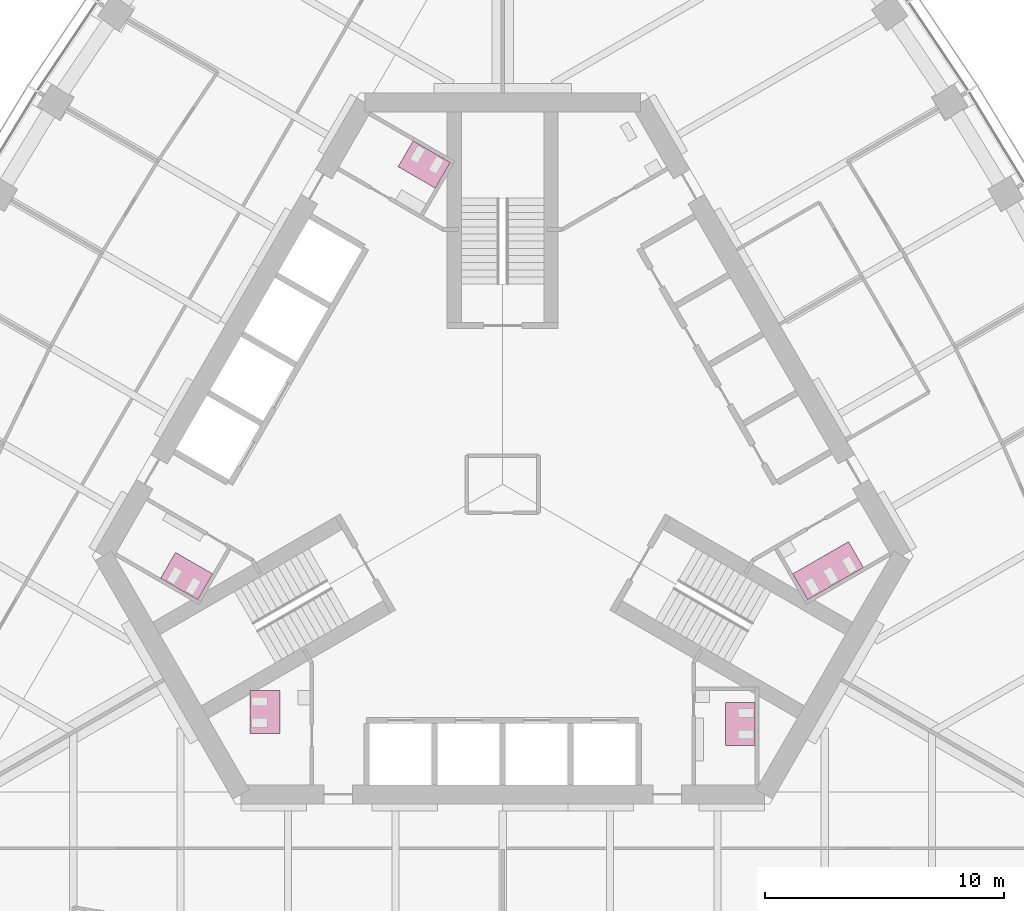
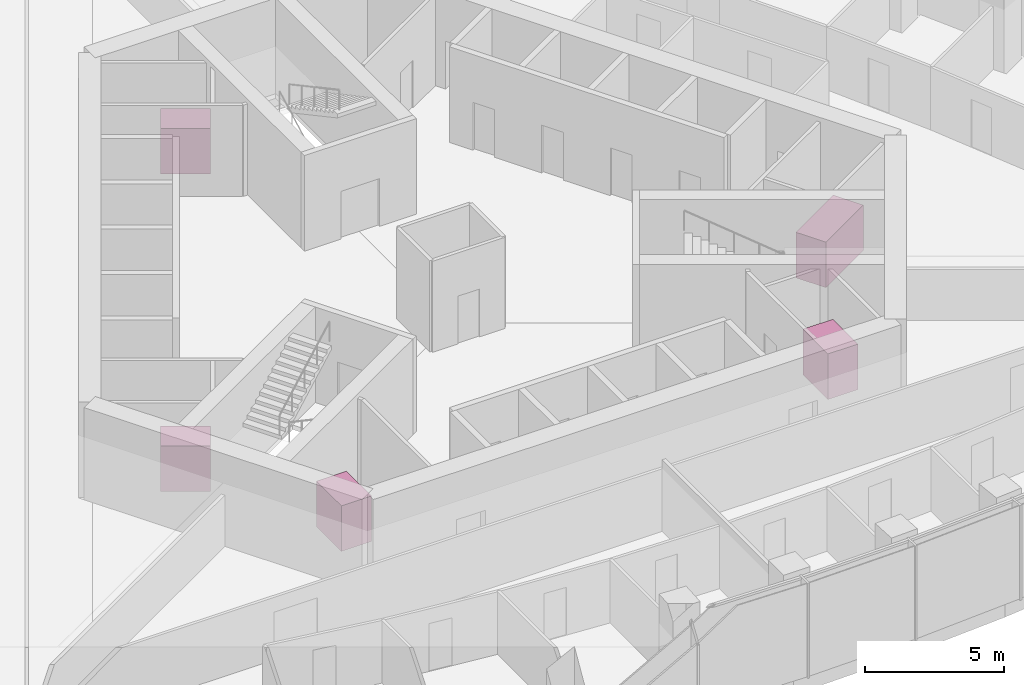
# One storey, part 20 of 20: 5 furniture elements.
"""IFC4 building model written with IfcOpenShell, lengths in metres."""

import ifcopenshell
import ifcopenshell.guid

model = None  # the IFC model being written
_history = None  # IfcOwnerHistory: only IFC2X3 demands one
_inside = {}  # id of a spatial element -> (the spatial element, [elements in it])
_under = {}  # id of a project, library or spatial element -> (it, [spatial elements below it])
_declared = {}  # id of a project -> (the project, [libraries it declares])
_typed = {}  # id of a type object -> (the type object, [elements of that type])
_made_of = {}  # id of a material, layer set ... -> (it, [elements and type objects made of it])


def new_model(schema):
    """Start an empty IFC model of exactly this schema.

    Asked for "IFC4X3", IfcOpenShell would pick the latest addendum, in which some entities
    have other attributes; the version numbers below select the first issue.
    IFC2X3 requires an IfcOwnerHistory on every rooted entity: one is made here for all.
    """
    global model, _history
    if schema == "IFC4X3":
        model = ifcopenshell.file(schema_version=(4, 3, 0, 0))
    else:
        model = ifcopenshell.file(schema=schema)
    _inside.clear()
    _under.clear()
    _declared.clear()
    _typed.clear()
    _made_of.clear()
    _history = None
    if model.schema == "IFC2X3":
        org = make("IfcOrganization", Name="unknown")
        user = make(
            "IfcPersonAndOrganization",
            ThePerson=make("IfcPerson", FamilyName="unknown"),
            TheOrganization=org,
        )
        app = make(
            "IfcApplication",
            ApplicationDeveloper=org,
            Version="unknown",
            ApplicationFullName="unknown",
            ApplicationIdentifier="unknown",
        )
        _history = make(
            "IfcOwnerHistory",
            OwningUser=user,
            OwningApplication=app,
            ChangeAction="ADDED",
            CreationDate=0,
        )
    return model


def make(cls, **values):
    """One entity of the class cls with the attributes given. An attribute that is None is left unset."""
    return model.create_entity(
        cls, **{name: value for name, value in values.items() if value is not None}
    )


def rooted(cls, **values):
    """An entity with a GlobalId (a new one), such as an element, a storey or a relation."""
    return make(cls, GlobalId=ifcopenshell.guid.new(), OwnerHistory=_history, **values)


def si_unit(unit_type, name, prefix=None):
    """IfcSIUnit, for example si_unit("LENGTHUNIT", "METRE", prefix="MILLI")."""
    return make("IfcSIUnit", UnitType=unit_type, Prefix=prefix, Name=name)


def assignment(units):
    """IfcUnitAssignment: the units of a project."""
    return None if units is None else make("IfcUnitAssignment", Units=units)


def point(xyz):
    """IfcCartesianPoint."""
    return None if xyz is None else make("IfcCartesianPoint", Coordinates=xyz)


def direction(xyz):
    """IfcDirection."""
    return None if xyz is None else make("IfcDirection", DirectionRatios=xyz)


def frame(location, z_axis=None, x_axis=None):
    """IfcAxis2Placement3D, a coordinate frame: its origin and axes. An axis left out is left unset."""
    return make(
        "IfcAxis2Placement3D",
        Location=point(location),
        Axis=direction(z_axis),
        RefDirection=direction(x_axis),
    )


def origin():
    """The frame at (0, 0, 0) with its axes left unset."""
    return frame((0.0, 0.0, 0.0))


def place(relative_to, where):
    """IfcLocalPlacement: puts the frame where relative to a parent placement (None: the world)."""
    return make(
        "IfcLocalPlacement", PlacementRelTo=relative_to, RelativePlacement=where
    )


def context(
    kind, dimensions, precision=None, world=None, true_north=None, identifier=None
):
    """IfcGeometricRepresentationContext, for example the 3D "Model" context."""
    return make(
        "IfcGeometricRepresentationContext",
        ContextIdentifier=identifier,
        ContextType=kind,
        CoordinateSpaceDimension=dimensions,
        Precision=precision,
        WorldCoordinateSystem=world,
        TrueNorth=true_north,
    )


def subcontext(parent, identifier, kind, view, scale=None):
    """IfcGeometricRepresentationSubContext, for example "Body" below "Model"."""
    return make(
        "IfcGeometricRepresentationSubContext",
        ContextIdentifier=identifier,
        ContextType=kind,
        ParentContext=parent,
        TargetScale=scale,
        TargetView=view,
    )


def project(units=None, contexts=None):
    """IfcProject with its units and contexts."""
    return rooted(
        "IfcProject",
        Name="project",
        RepresentationContexts=contexts,
        UnitsInContext=assignment(units),
    )


def spatial(cls, under=None, at=None, **own):
    """A site, building, storey or space (cls), placed at a placement, below another one or the project."""
    s = rooted(cls, ObjectPlacement=at, **own)
    if under is not None:
        _under.setdefault(under.id(), (under, []))[1].append(s)
    return s


def polyline(points):
    """IfcPolyline through the points."""
    return make("IfcPolyline", Points=[point(p) for p in points])


def outline(outer, holes=None, kind="AREA"):
    """IfcArbitraryClosedProfileDef: a profile drawn as a closed curve; with holes, ...WithVoids."""
    if holes is None:
        return make("IfcArbitraryClosedProfileDef", ProfileType=kind, OuterCurve=outer)
    return make(
        "IfcArbitraryProfileDefWithVoids",
        ProfileType=kind,
        OuterCurve=outer,
        InnerCurves=holes,
    )


def extrude(swept, where, along, depth):
    """IfcExtrudedAreaSolid: the profile swept, set in the frame where, extruded along a direction by depth."""
    return make(
        "IfcExtrudedAreaSolid",
        SweptArea=swept,
        Position=where,
        ExtrudedDirection=direction(along),
        Depth=depth,
    )


def shape(context_of_items, identifier, shape_type, items):
    """IfcShapeRepresentation: the items that make up one representation, for example the "Body"."""
    return make(
        "IfcShapeRepresentation",
        ContextOfItems=context_of_items,
        RepresentationIdentifier=identifier,
        RepresentationType=shape_type,
        Items=items,
    )


def material(Name=None, Category=None):
    """IfcMaterial."""
    return make("IfcMaterial", Name=Name, Category=Category)


def made_of(thing, what):
    """Note that an element or type object is made of a material, layer set ...; save() writes the relation."""
    if what is not None:
        _made_of.setdefault(what.id(), (what, []))[1].append(thing)
    return thing


def type_object(cls, material=None, **own):
    """A type object (cls), such as IfcWallType, which elements share."""
    return made_of(rooted(cls, **own), material)


def element(
    cls,
    number,
    at=None,
    inside=None,
    cuts=None,
    type_object=None,
    material=None,
    context=None,
    identifier="Body",
    shape_type=None,
    held_by="IfcProductDefinitionShape",
    body=None,
    shapes=None,
    **own,
):
    """One element of the class cls, such as IfcWall. Its Tag is "e" and its number.

    at: its placement. inside: the storey or other place that contains it. cuts: it is an
    opening in that element (IfcRelVoidsElement). A single representation is given by context,
    identifier, shape_type and body (its items); several are given by shapes. held_by: the class
    of the entity that holds the representations. save() writes the other relations.
    """
    e = rooted(cls, Tag="e%d" % number, ObjectPlacement=at, **own)
    if body is not None:
        shapes = [shape(context, identifier, shape_type, body)]
    if shapes is not None:
        e.Representation = make(held_by, Representations=shapes)
    if inside is not None:
        _inside.setdefault(inside.id(), (inside, []))[1].append(e)
    if cuts is not None:
        rooted(
            "IfcRelVoidsElement", RelatingBuildingElement=cuts, RelatedOpeningElement=e
        )
    if type_object is not None:
        _typed.setdefault(type_object.id(), (type_object, []))[1].append(e)
    return made_of(e, material)


def aggregate(whole, parts):
    """IfcRelAggregates: a whole, such as a stair, and the parts it consists of."""
    return rooted("IfcRelAggregates", RelatingObject=whole, RelatedObjects=parts)


def save(model, path):
    """Write the relations noted so far, then the file.

    IfcRelAggregates (storeys below a building ...), IfcRelContainedInSpatialStructure (elements
    in a storey), IfcRelDefinesByType, IfcRelAssociatesMaterial and IfcRelDeclares: one each for
    every whole, place, type object, material and project.
    """
    for whole, parts in _under.values():
        aggregate(whole, parts)
    for where, things in _inside.values():
        rooted(
            "IfcRelContainedInSpatialStructure",
            RelatedElements=things,
            RelatingStructure=where,
        )
    for kind, things in _typed.values():
        rooted("IfcRelDefinesByType", RelatedObjects=things, RelatingType=kind)
    for what, things in _made_of.values():
        rooted("IfcRelAssociatesMaterial", RelatedObjects=things, RelatingMaterial=what)
    for by, libraries in _declared.values():
        rooted("IfcRelDeclares", RelatingContext=by, RelatedDefinitions=libraries)
    model.write(path)


model = new_model("IFC4")

# Units and contexts
model_context = context("Model", 3, precision=1e-05, world=origin(), true_north=direction((0.0, 1.0)))
body_context = subcontext(model_context, "Body", "Model", "MODEL_VIEW")
ifc_project = project(units=[si_unit("LENGTHUNIT", "METRE"), si_unit("AREAUNIT", "SQUARE_METRE"), si_unit("VOLUMEUNIT", "CUBIC_METRE"), si_unit("PLANEANGLEUNIT", "RADIAN"), si_unit("MASSUNIT", "GRAM", prefix="KILO")], contexts=[model_context])

# Site, building, storey
site_placement = place(None, origin())
site = spatial("IfcSite", under=ifc_project, at=site_placement, CompositionType="ELEMENT")
building_placement = place(site_placement, origin())
building = spatial("IfcBuilding", under=site, at=building_placement, Name="Trefoil Bronze Tower", CompositionType="ELEMENT")
storey_placement = place(building_placement, frame((0.0, 0.0, 214.89990234375)))
storey = spatial("IfcBuildingStorey", under=building, at=storey_placement, Name="L49", CompositionType="ELEMENT", Elevation=214.89990234375)

# Furniture
ifc_material_1 = material(Name="Compact laminate cubicles", Category="plastic")
furniture_type_1 = type_object("IfcFurnitureType", Name="WC cubicle range 2 cubicles", AssemblyPlace="FACTORY", PredefinedType="USERDEFINED", material=ifc_material_1)
furniture_1_placement = place(storey_placement, origin())
element("IfcFurniture", 1, at=furniture_1_placement, inside=storey, type_object=furniture_type_1, Name="WC cubicle range WC (men) L49", ObjectType="WC cubicle range", PredefinedType="USERDEFINED", context=body_context, shape_type="SweptSolid", body=[
    extrude(outline(polyline([(9.3349609375, -9.14990234375), (10.5849609375, -9.14990234375), (10.5849609375, -10.949951171875), (9.3349609375, -10.949951171875), (9.3349609375, -9.14990234375)])), origin(), (0.0, 0.0, 1.0), 2.0),
])
furniture_2_placement = place(storey_placement, origin())
element("IfcFurniture", 2, at=furniture_2_placement, inside=storey, type_object=furniture_type_1, Name="WC cubicle range WC (women) L49", ObjectType="WC cubicle range", PredefinedType="USERDEFINED", context=body_context, shape_type="SweptSolid", body=[
    extrude(outline(polyline([(-2.82373046875, 12.409423828125), (-2.19873046875, 13.491943359375), (-3.757568359375, 14.391845703125), (-4.382568359375, 13.309326171875), (-2.82373046875, 12.409423828125)])), origin(), (0.0, 0.0, 1.0), 2.0),
])
furniture_3_placement = place(storey_placement, origin())
element("IfcFurniture", 3, at=furniture_3_placement, inside=storey, type_object=furniture_type_1, Name="WC cubicle range WC (men) L49", ObjectType="WC cubicle range", PredefinedType="USERDEFINED", context=body_context, shape_type="SweptSolid", body=[
    extrude(outline(polyline([(-12.15869140625, -3.75927734375), (-12.78369140625, -4.841796875), (-14.342529296875, -3.94189453125), (-13.717529296875, -2.859375), (-12.15869140625, -3.75927734375)])), origin(), (0.0, 0.0, 1.0), 2.0),
])
furniture_4_placement = place(storey_placement, origin())
element("IfcFurniture", 4, at=furniture_4_placement, inside=storey, type_object=furniture_type_1, Name="WC cubicle range WC (women) L49", ObjectType="WC cubicle range", PredefinedType="USERDEFINED", context=body_context, shape_type="SweptSolid", body=[
    extrude(outline(polyline([(-9.3349609375, -8.64990234375), (-10.5849609375, -8.64990234375), (-10.5849609375, -10.449951171875), (-9.3349609375, -10.449951171875), (-9.3349609375, -8.64990234375)])), origin(), (0.0, 0.0, 1.0), 2.0),
])
ifc_material_2 = material(Name="Compact laminate cubicles", Category="plastic")
furniture_type_2 = type_object("IfcFurnitureType", Name="WC cubicle range 3 cubicles", AssemblyPlace="FACTORY", PredefinedType="USERDEFINED", material=ifc_material_2)
furniture_5_placement = place(storey_placement, origin())
element("IfcFurniture", 5, at=furniture_5_placement, inside=storey, type_object=furniture_type_2, Name="WC cubicle range WC (women) L49", ObjectType="WC cubicle range", PredefinedType="USERDEFINED", context=body_context, shape_type="SweptSolid", body=[
    extrude(outline(polyline([(12.15869140625, -3.75927734375), (12.78369140625, -4.841796875), (15.121826171875, -3.491943359375), (14.496826171875, -2.409423828125), (12.15869140625, -3.75927734375)])), origin(), (0.0, 0.0, 1.0), 2.0),
])

save(model, "model.ifc")
